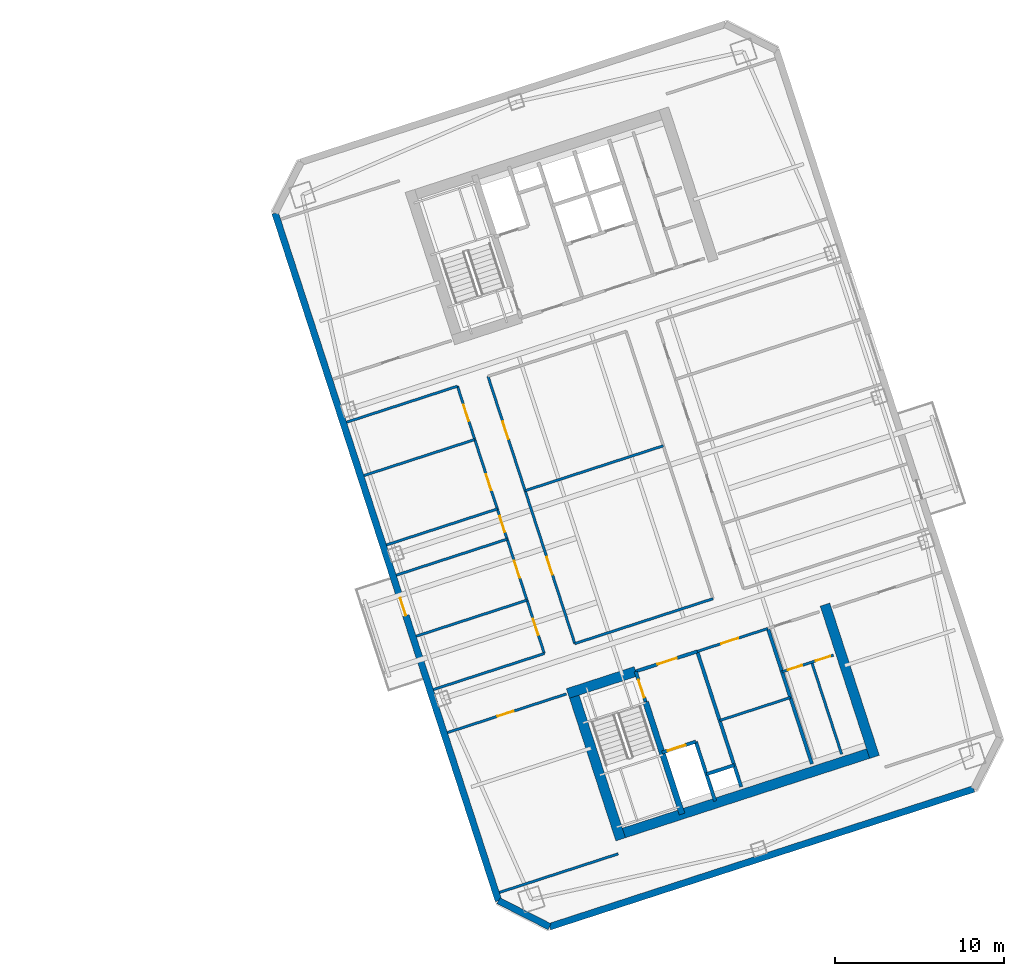
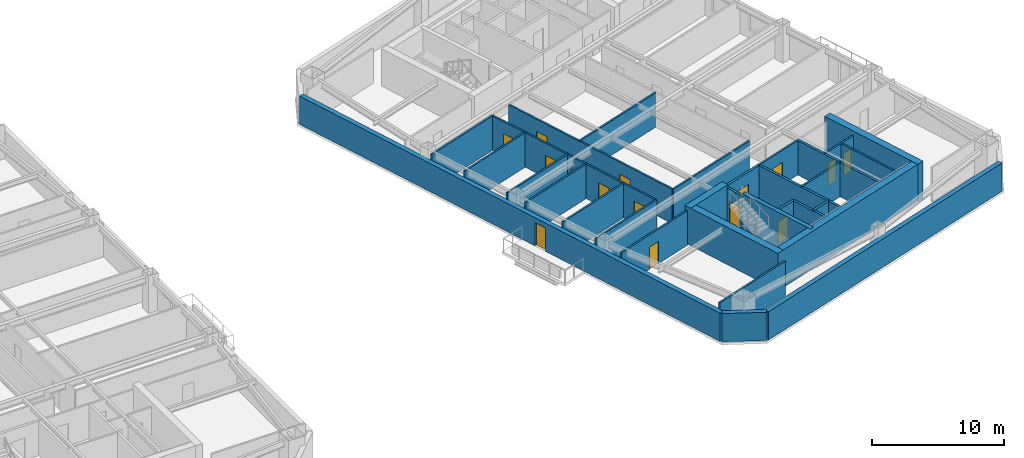
# One storey, part 8 of 15: 31 walls, 15 doors, 15 openings.
"""IFC4 building model written with IfcOpenShell, lengths in metres."""

from ifc_helpers import new_model, si_unit, direction, frame, frame_2d, origin, place, context, subcontext, project, spatial, rectangle, extrude, material, layer, layer_set, type_object, element, fill, save


model = new_model("IFC4")

# Units and contexts
model_context = context("Model", 3, precision=1e-05, world=origin(), true_north=direction((0.0, 1.0)))
body_context = subcontext(model_context, "Body", "Model", "MODEL_VIEW")
ifc_project = project(units=[si_unit("LENGTHUNIT", "METRE"), si_unit("AREAUNIT", "SQUARE_METRE"), si_unit("VOLUMEUNIT", "CUBIC_METRE"), si_unit("PLANEANGLEUNIT", "RADIAN"), si_unit("MASSUNIT", "GRAM", prefix="KILO")], contexts=[model_context])

# Site, building, storey
site_placement = place(None, origin())
site = spatial("IfcSite", under=ifc_project, at=site_placement, CompositionType="ELEMENT")
building_placement = place(site_placement, origin())
building = spatial("IfcBuilding", under=site, at=building_placement, Name="Qiaolan Cultural Towers", CompositionType="ELEMENT")
storey_placement = place(building_placement, frame((0.0, 0.0, 166.75)))
storey = spatial("IfcBuildingStorey", under=building, at=storey_placement, Name="L44", CompositionType="ELEMENT", Elevation=166.75)

# Walls
ifc_material_1 = material(Name="Concrete C50", Category="concrete")
ifc_layer_1 = layer(ifc_material_1, 0.35009765625)
ifc_layer_set_1 = layer_set([ifc_layer_1], Name="Concrete C50")
wall_type_1 = type_object("IfcWallType", Name="WL-CORE-350", PredefinedType="SHEAR", material=ifc_layer_set_1)
wall_1_placement = place(storey_placement, frame((90.486328125, 20.59423828125, 0.0), z_axis=(0.0, 0.0, 1.0), x_axis=(0.309020428229, -0.951055400562, 0.0)))
element("IfcWall", 1, at=wall_1_placement, inside=storey, type_object=wall_type_1, Name="L44 T2-CS Stair Core Dividing Web", PredefinedType="SHEAR", context=body_context, shape_type="SweptSolid", body=[
    extrude(rectangle(XDim=6.97998046875, YDim=0.35009765625, at=frame_2d((3.489990234375, 0.0))), origin(), (0.0, 0.0, 1.0), 3.449951171875),
])
ifc_material_2 = material(Name="Concrete C55", Category="concrete")
ifc_layer_2 = layer(ifc_material_2, 0.60009765625)
ifc_layer_set_2 = layer_set([ifc_layer_2], Name="Concrete C55")
wall_type_2 = type_object("IfcWallType", Name="WL-CORE-600", PredefinedType="SHEAR", material=ifc_layer_set_2)
wall_2_placement = place(storey_placement, frame((88.6298828125, 12.65185546875, 0.0), z_axis=(0.0, 0.0, 1.0), x_axis=(0.95105714907, 0.309015046886, 0.0)))
element("IfcWall", 2, at=wall_2_placement, inside=storey, type_object=wall_type_2, Name="L44 T2-CS Outer Core Shear Wall", PredefinedType="SHEAR", context=body_context, shape_type="SweptSolid", body=[
    extrude(rectangle(XDim=16.400146484375, YDim=0.60009765625, at=frame_2d((8.2001953125, 0.0))), origin(), (0.0, 0.0, 1.0), 3.449951171875),
])
wall_3_placement = place(storey_placement, frame((86.078369140625, 21.47509765625, 0.0), z_axis=(0.0, 0.0, 1.0), x_axis=(0.309017938678, -0.951056209472, 0.0)))
element("IfcWall", 3, at=wall_3_placement, inside=storey, type_object=wall_type_2, Name="L44 T2-CS West Core Shear Wall", PredefinedType="SHEAR", context=body_context, shape_type="SweptSolid", body=[
    extrude(rectangle(XDim=9.479736328125, YDim=0.60009765625, at=frame_2d((4.73974609375, 0.0))), origin(), (0.0, 0.0, 1.0), 3.449951171875),
])
wall_4_placement = place(storey_placement, frame((101.105224609375, 26.357666015625, 0.0), z_axis=(0.0, 0.0, 1.0), x_axis=(0.309010370028, -0.95105866865, 0.0)))
element("IfcWall", 4, at=wall_4_placement, inside=storey, type_object=wall_type_2, Name="L44 T2-CS East Core Shear Wall", PredefinedType="SHEAR", context=body_context, shape_type="SweptSolid", body=[
    extrude(rectangle(XDim=9.47998046875, YDim=0.60009765625, at=frame_2d((4.739990234375, 0.0))), origin(), (0.0, 0.0, 1.0), 3.449951171875),
])
wall_5_placement = place(storey_placement, frame((85.8857421875, 21.09716796875, 0.0), z_axis=(0.0, 0.0, 1.0), x_axis=(0.951068073652, 0.308981422225, 0.0)))
element("IfcWall", 5, at=wall_5_placement, inside=storey, type_object=wall_type_2, Name="L44 T2-CS Stair Front Shear Wall", PredefinedType="SHEAR", context=body_context, shape_type="SweptSolid", body=[
    extrude(rectangle(XDim=4.22021484375, YDim=0.60009765625, at=frame_2d((2.110107421875, 0.0))), origin(), (0.0, 0.0, 1.0), 3.449951171875),
])

# Wall, opening, door
ifc_material_3 = material(Name="Precast Concrete C50 Honed Stone Pier", Category="masonry")
ifc_layer_3 = layer(ifc_material_3, 0.39990234375)
ifc_layer_set_3 = layer_set([ifc_layer_3], Name="Precast Concrete C50 Honed Stone Pier")
wall_type_3 = type_object("IfcWallType", Name="WL-EXT-PIER-400", PredefinedType="SOLIDWALL", material=ifc_layer_set_3)
wall_6_placement = place(storey_placement, frame((81.7763671875, 8.82666015625, 0.0), z_axis=(0.0, 0.0, 1.0), x_axis=(-0.309014228706, 0.951057414911, 0.0)))
wall_6 = element("IfcWall", 6, at=wall_6_placement, inside=storey, type_object=wall_type_3, Name="L44 East Tower Precast Pier Facade Wall F1", PredefinedType="SOLIDWALL", context=body_context, shape_type="SweptSolid", body=[
    extrude(rectangle(XDim=42.800048828125, YDim=0.39990234375, at=frame_2d((21.39990234375, 0.0))), origin(), (0.0, 0.0, 1.0), 2.610107421875),
])
opening_1_placement = place(wall_6_placement, frame((17.75, 0.0, 0.0)))
opening_1 = element("IfcOpeningElement", 7, at=opening_1_placement, cuts=wall_6, Name="Opening BD-01", PredefinedType="OPENING", context=body_context, shape_type="SweptSolid", body=[
    extrude(rectangle(XDim=1.10009765625, YDim=2.14990234375, at=frame_2d((0.550048828125, 1.074951171875))), frame((0.0, 0.2099609375, 0.0), z_axis=(0.0, -1.0, 0.0), x_axis=(1.0, 0.0, 0.0)), (0.0, 0.0, 1.0), 0.419921875),
])
ifc_material_4 = material(Name="Thermally Broken Aluminium Glazed Terrace Door", Category="aluminium")
door_type_1 = type_object("IfcDoorType", Name="DR-BAL-1100", OperationType="NOTDEFINED", PredefinedType="DOOR", material=ifc_material_4)
door_1_placement = place(opening_1_placement, origin())
door_1 = element("IfcDoor", 8, at=door_1_placement, inside=storey, type_object=door_type_1, Name="L44 T2 West Tree Balcony Door", OperationType="SINGLE_SWING_LEFT", OverallHeight=2.14990234375, OverallWidth=1.10009765625, PredefinedType="DOOR", context=body_context, shape_type="SweptSolid", body=[
    extrude(rectangle(XDim=1.10009765625, YDim=2.14990234375, at=frame_2d((0.550048828125, 1.074951171875))), frame((0.0, 0.02490234375, 0.0), z_axis=(0.0, -1.0, 0.0), x_axis=(1.0, 0.0, 0.0)), (0.0, 0.0, 1.0), 0.050048828125),
])
fill(opening_1, door_1)

# Walls
wall_7_placement = place(storey_placement, frame((109.908447265625, 15.44384765625, 0.0), z_axis=(0.0, 0.0, 1.0), x_axis=(-0.951057580055, -0.30901372044, 0.0)))
element("IfcWall", 9, at=wall_7_placement, inside=storey, type_object=wall_type_3, Name="L44 East Tower Precast Pier Facade Wall F7", PredefinedType="SOLIDWALL", context=body_context, shape_type="SweptSolid", body=[
    extrude(rectangle(XDim=26.39990234375, YDim=0.39990234375, at=frame_2d((13.199951171875, 0.0))), origin(), (0.0, 0.0, 1.0), 2.610107421875),
])
wall_8_placement = place(storey_placement, frame((84.800537109375, 7.285888671875, 0.0), z_axis=(0.0, 0.0, 1.0), x_axis=(-0.891020832027, 0.453962417932, 0.0)))
element("IfcWall", 10, at=wall_8_placement, inside=storey, type_object=wall_type_3, Name="L44 East Tower Precast Pier Facade Wall F8", PredefinedType="SOLIDWALL", context=body_context, shape_type="SweptSolid", body=[
    extrude(rectangle(XDim=3.39404296875, YDim=0.39990234375, at=frame_2d((1.697021484375, 0.0))), origin(), (0.0, 0.0, 1.0), 2.610107421875),
])

# Wall, opening, door
ifc_material_5 = material(Name="Concrete C35 Fire Wall", Category="concrete")
ifc_layer_4 = layer(ifc_material_5, 0.199951171875)
ifc_layer_set_4 = layer_set([ifc_layer_4], Name="Concrete C35 Fire Wall")
wall_type_4 = type_object("IfcWallType", Name="WL-FIRE-200", PredefinedType="PARTITIONING", material=ifc_layer_set_4)
wall_9_placement = place(storey_placement, frame((89.8994140625, 22.401123046875, 0.0), z_axis=(0.0, 0.0, 1.0), x_axis=(0.308932062672, -0.951084108086, 0.0)))
wall_9 = element("IfcWall", 11, at=wall_9_placement, inside=storey, type_object=wall_type_4, Name="L44 T2-CS Smokeproof Stair Entry Wall", PredefinedType="PARTITIONING", context=body_context, shape_type="SweptSolid", body=[
    extrude(rectangle(XDim=1.89990234375, YDim=0.199951171875, at=frame_2d((0.949951171875, 0.0))), origin(), (0.0, 0.0, 1.0), 3.175048828125),
])
opening_2_placement = place(wall_9_placement, frame((0.52001953125, 0.0, 0.0)))
opening_2 = element("IfcOpeningElement", 12, at=opening_2_placement, cuts=wall_9, Name="Opening FD-04", PredefinedType="OPENING", context=body_context, shape_type="SweptSolid", body=[
    extrude(rectangle(XDim=1.10009765625, YDim=2.050048828125, at=frame_2d((0.550048828125, 1.02490234375))), frame((0.0, 0.10986328125, 0.0), z_axis=(0.0, -1.0, 0.0), x_axis=(1.0, 0.0, 0.0)), (0.0, 0.0, 1.0), 0.219970703125),
])
ifc_material_6 = material(Name="Galvanized Steel Command Fire Door", Category="steel")
door_type_2 = type_object("IfcDoorType", Name="DR-FD90-1100", OperationType="NOTDEFINED", PredefinedType="DOOR", material=ifc_material_6)
door_2_placement = place(opening_2_placement, origin())
door_2 = element("IfcDoor", 13, at=door_2_placement, inside=storey, type_object=door_type_2, Name="L44 ST-E1 Smokeproof Stair Fire Door", OperationType="SINGLE_SWING_LEFT", OverallHeight=2.050048828125, OverallWidth=1.10009765625, PredefinedType="DOOR", context=body_context, shape_type="SweptSolid", body=[
    extrude(rectangle(XDim=1.10009765625, YDim=2.050048828125, at=frame_2d((0.550048828125, 1.02490234375))), frame((0.0, 0.02490234375, 0.0), z_axis=(0.0, -1.0, 0.0), x_axis=(1.0, 0.0, 0.0)), (0.0, 0.0, 1.0), 0.050048828125),
])
fill(opening_2, door_2)

# Wall
wall_10_placement = place(storey_placement, frame((93.541748046875, 23.584716796875, 0.0), z_axis=(0.0, 0.0, 1.0), x_axis=(0.309042196757, -0.951048327176, 0.0)))
element("IfcWall", 14, at=wall_10_placement, inside=storey, type_object=wall_type_4, Name="L44 T2-CS Firefighting Zone Wall", PredefinedType="PARTITIONING", context=body_context, shape_type="SweptSolid", body=[
    extrude(rectangle(XDim=8.429931640625, YDim=0.199951171875, at=frame_2d((4.21484375, 0.0))), origin(), (0.0, 0.0, 1.0), 3.175048828125),
])

# Wall, opening, door
wall_11_placement = place(storey_placement, frame((89.8994140625, 22.401123046875, 0.0), z_axis=(0.0, 0.0, 1.0), x_axis=(0.951046716504, 0.309047153403, 0.0)))
wall_11 = element("IfcWall", 15, at=wall_11_placement, inside=storey, type_object=wall_type_4, Name="L44 T2-CS Firefighting Lobby Front Wall", PredefinedType="PARTITIONING", context=body_context, shape_type="SweptSolid", body=[
    extrude(rectangle(XDim=3.829833984375, YDim=0.199951171875, at=frame_2d((1.9150390625, 0.0))), origin(), (0.0, 0.0, 1.0), 3.175048828125),
])
opening_3_placement = place(wall_11_placement, frame((1.35009765625, 0.0, 0.0)))
opening_3 = element("IfcOpeningElement", 16, at=opening_3_placement, cuts=wall_11, Name="Opening FD-03", PredefinedType="OPENING", context=body_context, shape_type="SweptSolid", body=[
    extrude(rectangle(XDim=1.199951171875, YDim=2.050048828125, at=frame_2d((0.60009765625, 1.02490234375))), frame((0.0, 0.10986328125, 0.0), z_axis=(0.0, -1.0, 0.0), x_axis=(1.0, 0.0, 0.0)), (0.0, 0.0, 1.0), 0.219970703125),
])
ifc_material_7 = material(Name="Galvanized Steel Smokeproof Lobby Fire Door", Category="steel")
door_type_3 = type_object("IfcDoorType", Name="DR-FD90-1200", OperationType="NOTDEFINED", PredefinedType="DOOR", material=ifc_material_7)
door_3_placement = place(opening_3_placement, origin())
door_3 = element("IfcDoor", 17, at=door_3_placement, inside=storey, type_object=door_type_3, Name="L44 FFL-E1 Firefighting Lobby Fire Door", OperationType="SINGLE_SWING_LEFT", OverallHeight=2.050048828125, OverallWidth=1.199951171875, PredefinedType="DOOR", context=body_context, shape_type="SweptSolid", body=[
    extrude(rectangle(XDim=1.199951171875, YDim=2.050048828125, at=frame_2d((0.60009765625, 1.02490234375))), frame((0.0, 0.02490234375, 0.0), z_axis=(0.0, -1.0, 0.0), x_axis=(1.0, 0.0, 0.0)), (0.0, 0.0, 1.0), 0.050048828125),
])
fill(opening_3, door_3)

wall_12_placement = place(storey_placement, frame((91.459716796875, 17.598388671875, 0.0), z_axis=(0.0, 0.0, 1.0), x_axis=(0.951062257173, 0.308999325213, 0.0)))
wall_12 = element("IfcWall", 18, at=wall_12_placement, inside=storey, type_object=wall_type_4, Name="L44 T2-CS Firefighting Shaft Front Wall", PredefinedType="PARTITIONING", context=body_context, shape_type="SweptSolid", body=[
    extrude(rectangle(XDim=2.10009765625, YDim=0.199951171875, at=frame_2d((1.050048828125, 0.0))), origin(), (0.0, 0.0, 1.0), 3.175048828125),
])
opening_4_placement = place(wall_12_placement, frame((0.35009765625, 0.0, 0.0)))
opening_4 = element("IfcOpeningElement", 19, at=opening_4_placement, cuts=wall_12, Name="Opening LD-01", PredefinedType="OPENING", context=body_context, shape_type="SweptSolid", body=[
    extrude(rectangle(XDim=1.10009765625, YDim=2.050048828125, at=frame_2d((0.550048828125, 1.02490234375))), frame((0.0, 0.10986328125, 0.0), z_axis=(0.0, -1.0, 0.0), x_axis=(1.0, 0.0, 0.0)), (0.0, 0.0, 1.0), 0.219970703125),
])
ifc_material_8 = material(Name="Brushed Stainless Steel S30408 Centre-Parting Lift Landing Door", Category="steel")
door_type_4 = type_object("IfcDoorType", Name="DR-LIFT-1100", OperationType="NOTDEFINED", PredefinedType="DOOR", material=ifc_material_8)
door_4_placement = place(opening_4_placement, origin())
door_4 = element("IfcDoor", 20, at=door_4_placement, inside=storey, type_object=door_type_4, Name="L44 FFL-E1 Firefighting Lift Landing Door", OperationType="DOUBLE_DOOR_SLIDING", OverallHeight=2.050048828125, OverallWidth=1.10009765625, PredefinedType="DOOR", context=body_context, shape_type="SweptSolid", body=[
    extrude(rectangle(XDim=1.10009765625, YDim=2.050048828125, at=frame_2d((0.550048828125, 1.02490234375))), frame((0.0, 0.02490234375, 0.0), z_axis=(0.0, -1.0, 0.0), x_axis=(1.0, 0.0, 0.0)), (0.0, 0.0, 1.0), 0.050048828125),
])
fill(opening_4, door_4)

# Walls
wall_13_placement = place(storey_placement, frame((93.45703125, 18.247314453125, 0.0), z_axis=(0.0, 0.0, 1.0), x_axis=(0.3089935693, -0.951064127245, 0.0)))
element("IfcWall", 21, at=wall_13_placement, inside=storey, type_object=wall_type_4, Name="L44 T2-CS Firefighting Hoistway East Wall", PredefinedType="PARTITIONING", context=body_context, shape_type="SweptSolid", body=[
    extrude(rectangle(XDim=3.7001953125, YDim=0.199951171875, at=frame_2d((1.85009765625, 0.0))), origin(), (0.0, 0.0, 1.0), 3.175048828125),
])
wall_14_placement = place(storey_placement, frame((94.08447265625, 16.316650390625, 0.0), z_axis=(0.0, 0.0, 1.0), x_axis=(0.951041328149, 0.309063734775, 0.0)))
element("IfcWall", 22, at=wall_14_placement, inside=storey, type_object=wall_type_4, Name="L44 T2-CS Pressurization Shaft Front Wall", PredefinedType="PARTITIONING", context=body_context, shape_type="SweptSolid", body=[
    extrude(rectangle(XDim=1.72998046875, YDim=0.199951171875, at=frame_2d((0.864990234375, 0.0))), origin(), (0.0, 0.0, 1.0), 3.175048828125),
])
wall_15_placement = place(storey_placement, frame((97.7265625, 24.9443359375, 0.0), z_axis=(0.0, 0.0, 1.0), x_axis=(0.309016001439, -0.951056838919, 0.0)))
element("IfcWall", 23, at=wall_15_placement, inside=storey, type_object=wall_type_4, Name="L44 T2-CS Lift Core East Wall", PredefinedType="PARTITIONING", context=body_context, shape_type="SweptSolid", body=[
    extrude(rectangle(XDim=8.429931640625, YDim=0.199951171875, at=frame_2d((4.21484375, 0.0))), origin(), (0.0, 0.0, 1.0), 3.175048828125),
])

# Wall, opening, door
ifc_material_9 = material(Name="Autoclaved Aerated Concrete Block B06", Category="concrete")
ifc_layer_5 = layer(ifc_material_9, 0.14990234375)
ifc_layer_set_5 = layer_set([ifc_layer_5], Name="Autoclaved Aerated Concrete Block B06")
wall_type_5 = type_object("IfcWallType", Name="WL-PART-150", PredefinedType="PARTITIONING", material=ifc_layer_set_5)
wall_16_placement = place(storey_placement, frame((93.541748046875, 23.584716796875, 0.0), z_axis=(0.0, 0.0, 1.0), x_axis=(0.951063829732, 0.308994485023, 0.0)))
wall_16 = element("IfcWall", 24, at=wall_16_placement, inside=storey, type_object=wall_type_5, Name="L44 T2-CS Reclaimed Core Room Front Wall", PredefinedType="PARTITIONING", context=body_context, shape_type="SweptSolid", body=[
    extrude(rectangle(XDim=4.400146484375, YDim=0.14990234375, at=frame_2d((2.2001953125, 0.0))), origin(), (0.0, 0.0, 1.0), 3.175048828125),
])
opening_5_placement = place(wall_16_placement, frame((1.5, 0.0, 0.0)))
opening_5 = element("IfcOpeningElement", 25, at=opening_5_placement, cuts=wall_16, Name="Opening ID-07", PredefinedType="OPENING", context=body_context, shape_type="SweptSolid", body=[
    extrude(rectangle(XDim=1.050048828125, YDim=2.050048828125, at=frame_2d((0.52490234375, 1.02490234375))), frame((0.0, 0.0849609375, 0.0), z_axis=(0.0, -1.0, 0.0), x_axis=(1.0, 0.0, 0.0)), (0.0, 0.0, 1.0), 0.169921875),
])
ifc_material_10 = material(Name="Oak Veneer Consultation Door", Category="timber")
door_type_5 = type_object("IfcDoorType", Name="DR-INT-1050", OperationType="NOTDEFINED", PredefinedType="DOOR", material=ifc_material_10)
door_5_placement = place(opening_5_placement, origin())
door_5 = element("IfcDoor", 26, at=door_5_placement, inside=storey, type_object=door_type_5, Name="L44 Focus Pod Room Door", OperationType="SINGLE_SWING_LEFT", OverallHeight=2.050048828125, OverallWidth=1.050048828125, PredefinedType="DOOR", context=body_context, shape_type="SweptSolid", body=[
    extrude(rectangle(XDim=1.050048828125, YDim=2.050048828125, at=frame_2d((0.52490234375, 1.02490234375))), frame((0.0, 0.02490234375, 0.0), z_axis=(0.0, -1.0, 0.0), x_axis=(1.0, 0.0, 0.0)), (0.0, 0.0, 1.0), 0.050048828125),
])
fill(opening_5, door_5)

# Wall
wall_17_placement = place(storey_placement, frame((94.87060546875, 19.4951171875, 0.0), z_axis=(0.0, 0.0, 1.0), x_axis=(0.951042223598, 0.309060979314, 0.0)))
element("IfcWall", 27, at=wall_17_placement, inside=storey, type_object=wall_type_5, Name="L44 T2-CS Reclaimed Room Subdivider", PredefinedType="PARTITIONING", context=body_context, shape_type="SweptSolid", body=[
    extrude(rectangle(XDim=4.39990234375, YDim=0.14990234375, at=frame_2d((2.199951171875, 0.0))), origin(), (0.0, 0.0, 1.0), 3.175048828125),
])

# Wall, openings, doors
wall_18_placement = place(storey_placement, frame((98.560791015625, 22.37646484375, 0.0), z_axis=(0.0, 0.0, 1.0), x_axis=(0.95104415986, 0.309055020985, 0.0)))
wall_18 = element("IfcWall", 28, at=wall_18_placement, inside=storey, type_object=wall_type_5, Name="L44 T2-CS Restroom Vestibule Wall", PredefinedType="PARTITIONING", context=body_context, shape_type="SweptSolid", body=[
    extrude(rectangle(XDim=3.2001953125, YDim=0.14990234375, at=frame_2d((1.60009765625, 0.0))), origin(), (0.0, 0.0, 1.0), 3.175048828125),
])
opening_6_placement = place(wall_18_placement, frame((0.35009765625, 0.0, 0.0)))
opening_6 = element("IfcOpeningElement", 29, at=opening_6_placement, cuts=wall_18, Name="Opening ID-06", PredefinedType="OPENING", context=body_context, shape_type="SweptSolid", body=[
    extrude(rectangle(XDim=0.89990234375, YDim=2.050048828125, at=frame_2d((0.449951171875, 1.02490234375))), frame((0.0, 0.0849609375, 0.0), z_axis=(0.0, -1.0, 0.0), x_axis=(1.0, 0.0, 0.0)), (0.0, 0.0, 1.0), 0.169921875),
])
opening_7_placement = place(wall_18_placement, frame((2.10009765625, 0.0, 0.0)))
opening_7 = element("IfcOpeningElement", 30, at=opening_7_placement, cuts=wall_18, Name="Opening ID-06", PredefinedType="OPENING", context=body_context, shape_type="SweptSolid", body=[
    extrude(rectangle(XDim=0.89990234375, YDim=2.050048828125, at=frame_2d((0.449951171875, 1.02490234375))), frame((0.0, 0.0849609375, 0.0), z_axis=(0.0, -1.0, 0.0), x_axis=(1.0, 0.0, 0.0)), (0.0, 0.0, 1.0), 0.169921875),
])
ifc_material_11 = material(Name="Fire-Rated Laminate Core Service Door", Category="timber")
door_type_6 = type_object("IfcDoorType", Name="DR-INT-900", OperationType="NOTDEFINED", PredefinedType="DOOR", material=ifc_material_11)
door_6_placement = place(opening_6_placement, origin())
door_6 = element("IfcDoor", 31, at=door_6_placement, inside=storey, type_object=door_type_6, Name="L44 Men Restroom Door", OperationType="SINGLE_SWING_LEFT", OverallHeight=2.050048828125, OverallWidth=0.89990234375, PredefinedType="DOOR", context=body_context, shape_type="SweptSolid", body=[
    extrude(rectangle(XDim=0.89990234375, YDim=2.050048828125, at=frame_2d((0.449951171875, 1.02490234375))), frame((0.0, 0.02490234375, 0.0), z_axis=(0.0, -1.0, 0.0), x_axis=(1.0, 0.0, 0.0)), (0.0, 0.0, 1.0), 0.050048828125),
])
fill(opening_6, door_6)
door_7_placement = place(opening_7_placement, origin())
door_7 = element("IfcDoor", 32, at=door_7_placement, inside=storey, type_object=door_type_6, Name="L44 Accessible & Women Restroom Door", OperationType="SINGLE_SWING_RIGHT", OverallHeight=2.050048828125, OverallWidth=0.89990234375, PredefinedType="DOOR", context=body_context, shape_type="SweptSolid", body=[
    extrude(rectangle(XDim=0.89990234375, YDim=2.050048828125, at=frame_2d((0.449951171875, 1.02490234375))), frame((0.0, 0.02490234375, 0.0), z_axis=(0.0, -1.0, 0.0), x_axis=(1.0, 0.0, 0.0)), (0.0, 0.0, 1.0), 0.050048828125),
])
fill(opening_7, door_7)

# Walls
wall_19_placement = place(storey_placement, frame((100.3203125, 22.9482421875, 0.0), z_axis=(0.0, 0.0, 1.0), x_axis=(0.309035009867, -0.951050662518, 0.0)))
element("IfcWall", 33, at=wall_19_placement, inside=storey, type_object=wall_type_5, Name="L44 T2-CS Restroom Divider Wall", PredefinedType="PARTITIONING", context=body_context, shape_type="SweptSolid", body=[
    extrude(rectangle(XDim=5.72998046875, YDim=0.14990234375, at=frame_2d((2.864990234375, 0.0))), origin(), (0.0, 0.0, 1.0), 3.175048828125),
])
wall_20_placement = place(storey_placement, frame((81.82763671875, 9.31640625, 0.0), z_axis=(0.0, 0.0, 1.0), x_axis=(0.95105128112, 0.309033106124, 0.0)))
element("IfcWall", 34, at=wall_20_placement, inside=storey, type_object=wall_type_5, Name="L44 T2 Flank Wall FLK-SW", PredefinedType="PARTITIONING", context=body_context, shape_type="SweptSolid", body=[
    extrude(rectangle(XDim=7.400146484375, YDim=0.14990234375, at=frame_2d((3.7001953125, 0.0))), origin(), (0.0, 0.0, 1.0), 3.175048828125),
])

# Wall, opening, door
wall_21_placement = place(storey_placement, frame((78.7529296875, 18.779541015625, 0.0), z_axis=(0.0, 0.0, 1.0), x_axis=(0.951060977215, 0.309003264738, 0.0)))
wall_21 = element("IfcWall", 35, at=wall_21_placement, inside=storey, type_object=wall_type_5, Name="L44 T2 Flank Front FLK-SW", PredefinedType="PARTITIONING", context=body_context, shape_type="SweptSolid", body=[
    extrude(rectangle(XDim=7.39990234375, YDim=0.14990234375, at=frame_2d((3.699951171875, 0.0))), origin(), (0.0, 0.0, 1.0), 3.175048828125),
])
opening_8_placement = place(wall_21_placement, frame((3.10791015625, 0.0, 0.0)))
opening_8 = element("IfcOpeningElement", 36, at=opening_8_placement, cuts=wall_21, Name="Opening ID-04", PredefinedType="OPENING", context=body_context, shape_type="SweptSolid", body=[
    extrude(rectangle(XDim=1.0, YDim=2.050048828125, at=frame_2d((0.5, 1.02490234375))), frame((0.0, 0.0849609375, 0.0), z_axis=(0.0, -1.0, 0.0), x_axis=(1.0, 0.0, 0.0)), (0.0, 0.0, 1.0), 0.169921875),
])
ifc_material_12 = material(Name="Oak Veneer Acoustic Office Door", Category="timber")
door_type_7 = type_object("IfcDoorType", Name="DR-INT-1000", OperationType="NOTDEFINED", PredefinedType="DOOR", material=ifc_material_12)
door_8_placement = place(opening_8_placement, origin())
door_8 = element("IfcDoor", 37, at=door_8_placement, inside=storey, type_object=door_type_7, Name="L44 T2 Corner Studio Door", OperationType="SINGLE_SWING_LEFT", OverallHeight=2.050048828125, OverallWidth=1.0, PredefinedType="DOOR", context=body_context, shape_type="SweptSolid", body=[
    extrude(rectangle(XDim=1.0, YDim=2.050048828125, at=frame_2d((0.5, 1.02490234375))), frame((0.0, 0.02490234375, 0.0), z_axis=(0.0, -1.0, 0.0), x_axis=(1.0, 0.0, 0.0)), (0.0, 0.0, 1.0), 0.050048828125),
])
fill(opening_8, door_8)

# Walls
wall_22_placement = place(storey_placement, frame((77.9248046875, 21.328369140625, 0.0), z_axis=(0.0, 0.0, 1.0), x_axis=(0.951061887302, 0.309000463626, 0.0)))
element("IfcWall", 38, at=wall_22_placement, inside=storey, type_object=wall_type_5, Name="L44 T2 Interior Wall", PredefinedType="PARTITIONING", context=body_context, shape_type="SweptSolid", body=[
    extrude(rectangle(XDim=6.89990234375, YDim=0.14990234375, at=frame_2d((3.449951171875, 0.0))), origin(), (0.0, 0.0, 1.0), 3.175048828125),
])
wall_23_placement = place(storey_placement, frame((86.2939453125, 24.047607421875, 0.0), z_axis=(0.0, 0.0, 1.0), x_axis=(0.951052008164, 0.309030868631, 0.0)))
element("IfcWall", 39, at=wall_23_placement, inside=storey, type_object=wall_type_5, Name="L44 T2 Interior Wall", PredefinedType="PARTITIONING", context=body_context, shape_type="SweptSolid", body=[
    extrude(rectangle(XDim=8.60009765625, YDim=0.14990234375, at=frame_2d((4.300048828125, 0.0))), origin(), (0.0, 0.0, 1.0), 3.175048828125),
])
wall_24_placement = place(storey_placement, frame((72.78271484375, 37.15380859375, 0.0), z_axis=(0.0, 0.0, 1.0), x_axis=(0.951051488548, 0.309032467762, 0.0)))
element("IfcWall", 40, at=wall_24_placement, inside=storey, type_object=wall_type_5, Name="L44 T2 Interior Wall", PredefinedType="PARTITIONING", context=body_context, shape_type="SweptSolid", body=[
    extrude(rectangle(XDim=6.89990234375, YDim=0.14990234375, at=frame_2d((3.449951171875, 0.0))), origin(), (0.0, 0.0, 1.0), 3.175048828125),
])

# Wall, openings, doors
wall_25_placement = place(storey_placement, frame((84.487060546875, 23.46044921875, 0.0), z_axis=(0.0, 0.0, 1.0), x_axis=(-0.30901773025, 0.951056277195, 0.0)))
wall_25 = element("IfcWall", 41, at=wall_25_placement, inside=storey, type_object=wall_type_5, Name="L44 T2 Interior Wall", PredefinedType="PARTITIONING", context=body_context, shape_type="SweptSolid", body=[
    extrude(rectangle(XDim=16.64013671875, YDim=0.14990234375, at=frame_2d((8.320068359375, 0.0))), origin(), (0.0, 0.0, 1.0), 3.175048828125),
])
opening_9_placement = place(wall_25_placement, frame((1.159912109375, 0.0, 0.0)))
opening_9 = element("IfcOpeningElement", 42, at=opening_9_placement, cuts=wall_25, Name="Opening ID-04", PredefinedType="OPENING", context=body_context, shape_type="SweptSolid", body=[
    extrude(rectangle(XDim=1.0, YDim=2.050048828125, at=frame_2d((0.5, 1.02490234375))), frame((0.0, 0.0849609375, 0.0), z_axis=(0.0, -1.0, 0.0), x_axis=(1.0, 0.0, 0.0)), (0.0, 0.0, 1.0), 0.169921875),
])
opening_10_placement = place(wall_25_placement, frame((4.719970703125, 0.0, 0.0)))
opening_10 = element("IfcOpeningElement", 43, at=opening_10_placement, cuts=wall_25, Name="Opening ID-07", PredefinedType="OPENING", context=body_context, shape_type="SweptSolid", body=[
    extrude(rectangle(XDim=1.050048828125, YDim=2.050048828125, at=frame_2d((0.52490234375, 1.02490234375))), frame((0.0, 0.0849609375, 0.0), z_axis=(0.0, -1.0, 0.0), x_axis=(1.0, 0.0, 0.0)), (0.0, 0.0, 1.0), 0.169921875),
])
opening_11_placement = place(wall_25_placement, frame((7.56005859375, 0.0, 0.0)))
opening_11 = element("IfcOpeningElement", 44, at=opening_11_placement, cuts=wall_25, Name="Opening ID-04", PredefinedType="OPENING", context=body_context, shape_type="SweptSolid", body=[
    extrude(rectangle(XDim=1.0, YDim=2.050048828125, at=frame_2d((0.5, 1.02490234375))), frame((0.0, 0.0849609375, 0.0), z_axis=(0.0, -1.0, 0.0), x_axis=(1.0, 0.0, 0.0)), (0.0, 0.0, 1.0), 0.169921875),
])
opening_12_placement = place(wall_25_placement, frame((10.159912109375, 0.0, 0.0)))
opening_12 = element("IfcOpeningElement", 45, at=opening_12_placement, cuts=wall_25, Name="Opening ID-04", PredefinedType="OPENING", context=body_context, shape_type="SweptSolid", body=[
    extrude(rectangle(XDim=1.0, YDim=2.050048828125, at=frame_2d((0.5, 1.02490234375))), frame((0.0, 0.0849609375, 0.0), z_axis=(0.0, -1.0, 0.0), x_axis=(1.0, 0.0, 0.0)), (0.0, 0.0, 1.0), 0.169921875),
])
opening_13_placement = place(wall_25_placement, frame((14.47998046875, 0.0, 0.0)))
opening_13 = element("IfcOpeningElement", 46, at=opening_13_placement, cuts=wall_25, Name="Opening ID-04", PredefinedType="OPENING", context=body_context, shape_type="SweptSolid", body=[
    extrude(rectangle(XDim=1.0, YDim=2.050048828125, at=frame_2d((0.5, 1.02490234375))), frame((0.0, 0.0849609375, 0.0), z_axis=(0.0, -1.0, 0.0), x_axis=(1.0, 0.0, 0.0)), (0.0, 0.0, 1.0), 0.169921875),
])
door_9_placement = place(opening_9_placement, origin())
door_9 = element("IfcDoor", 47, at=door_9_placement, inside=storey, type_object=door_type_7, Name="L44 T2 Executive Boardroom Door", OperationType="SINGLE_SWING_LEFT", OverallHeight=2.050048828125, OverallWidth=1.0, PredefinedType="DOOR", context=body_context, shape_type="SweptSolid", body=[
    extrude(rectangle(XDim=1.0, YDim=2.050048828125, at=frame_2d((0.5, 1.02490234375))), frame((0.0, 0.02490234375, 0.0), z_axis=(0.0, -1.0, 0.0), x_axis=(1.0, 0.0, 0.0)), (0.0, 0.0, 1.0), 0.050048828125),
])
fill(opening_9, door_9)
door_10_placement = place(opening_11_placement, origin())
door_10 = element("IfcDoor", 48, at=door_10_placement, inside=storey, type_object=door_type_7, Name="L44 T2 Executive Boardroom Door", OperationType="SINGLE_SWING_LEFT", OverallHeight=2.050048828125, OverallWidth=1.0, PredefinedType="DOOR", context=body_context, shape_type="SweptSolid", body=[
    extrude(rectangle(XDim=1.0, YDim=2.050048828125, at=frame_2d((0.5, 1.02490234375))), frame((0.0, 0.02490234375, 0.0), z_axis=(0.0, -1.0, 0.0), x_axis=(1.0, 0.0, 0.0)), (0.0, 0.0, 1.0), 0.050048828125),
])
fill(opening_11, door_10)
door_11_placement = place(opening_12_placement, origin())
door_11 = element("IfcDoor", 49, at=door_11_placement, inside=storey, type_object=door_type_7, Name="L44 T2 Executive Boardroom Door", OperationType="SINGLE_SWING_RIGHT", OverallHeight=2.050048828125, OverallWidth=1.0, PredefinedType="DOOR", context=body_context, shape_type="SweptSolid", body=[
    extrude(rectangle(XDim=1.0, YDim=2.050048828125, at=frame_2d((0.5, 1.02490234375))), frame((0.0, 0.02490234375, 0.0), z_axis=(0.0, -1.0, 0.0), x_axis=(1.0, 0.0, 0.0)), (0.0, 0.0, 1.0), 0.050048828125),
])
fill(opening_12, door_11)
door_12_placement = place(opening_13_placement, origin())
door_12 = element("IfcDoor", 50, at=door_12_placement, inside=storey, type_object=door_type_7, Name="L44 T2 VIP Lounge Door", OperationType="SINGLE_SWING_RIGHT", OverallHeight=2.050048828125, OverallWidth=1.0, PredefinedType="DOOR", context=body_context, shape_type="SweptSolid", body=[
    extrude(rectangle(XDim=1.0, YDim=2.050048828125, at=frame_2d((0.5, 1.02490234375))), frame((0.0, 0.02490234375, 0.0), z_axis=(0.0, -1.0, 0.0), x_axis=(1.0, 0.0, 0.0)), (0.0, 0.0, 1.0), 0.050048828125),
])
fill(opening_13, door_12)
door_13_placement = place(opening_10_placement, origin())
door_13 = element("IfcDoor", 51, at=door_13_placement, inside=storey, type_object=door_type_5, Name="L44 T2 Executive Boardroom Door", OperationType="SINGLE_SWING_RIGHT", OverallHeight=2.050048828125, OverallWidth=1.050048828125, PredefinedType="DOOR", context=body_context, shape_type="SweptSolid", body=[
    extrude(rectangle(XDim=1.050048828125, YDim=2.050048828125, at=frame_2d((0.52490234375, 1.02490234375))), frame((0.0, 0.02490234375, 0.0), z_axis=(0.0, -1.0, 0.0), x_axis=(1.0, 0.0, 0.0)), (0.0, 0.0, 1.0), 0.050048828125),
])
fill(opening_10, door_13)

wall_26_placement = place(storey_placement, frame((86.2939453125, 24.047607421875, 0.0), z_axis=(0.0, 0.0, 1.0), x_axis=(-0.309004459387, 0.951060589068, 0.0)))
wall_26 = element("IfcWall", 52, at=wall_26_placement, inside=storey, type_object=wall_type_5, Name="L44 T2 Interior Wall", PredefinedType="PARTITIONING", context=body_context, shape_type="SweptSolid", body=[
    extrude(rectangle(XDim=16.64013671875, YDim=0.14990234375, at=frame_2d((8.320068359375, 0.0))), origin(), (0.0, 0.0, 1.0), 3.175048828125),
])
opening_14_placement = place(wall_26_placement, frame((4.283935546875, 0.0, 0.0)))
opening_14 = element("IfcOpeningElement", 53, at=opening_14_placement, cuts=wall_26, Name="Opening ID-03", PredefinedType="OPENING", context=body_context, shape_type="SweptSolid", body=[
    extrude(rectangle(XDim=1.10009765625, YDim=2.050048828125, at=frame_2d((0.550048828125, 1.02490234375))), frame((0.0, 0.0849609375, 0.0), z_axis=(0.0, -1.0, 0.0), x_axis=(1.0, 0.0, 0.0)), (0.0, 0.0, 1.0), 0.169921875),
])
opening_15_placement = place(wall_26_placement, frame((12.72412109375, 0.0, 0.0)))
opening_15 = element("IfcOpeningElement", 54, at=opening_15_placement, cuts=wall_26, Name="Opening ID-03", PredefinedType="OPENING", context=body_context, shape_type="SweptSolid", body=[
    extrude(rectangle(XDim=1.10009765625, YDim=2.050048828125, at=frame_2d((0.550048828125, 1.02490234375))), frame((0.0, 0.0849609375, 0.0), z_axis=(0.0, -1.0, 0.0), x_axis=(1.0, 0.0, 0.0)), (0.0, 0.0, 1.0), 0.169921875),
])
ifc_material_13 = material(Name="Oak Veneer Solid-Core Boardroom Door", Category="timber")
door_type_8 = type_object("IfcDoorType", Name="DR-INT-1100", OperationType="NOTDEFINED", PredefinedType="DOOR", material=ifc_material_13)
door_14_placement = place(opening_14_placement, origin())
door_14 = element("IfcDoor", 55, at=door_14_placement, inside=storey, type_object=door_type_8, Name="L44 T2 Central Boardroom Door", OperationType="SINGLE_SWING_LEFT", OverallHeight=2.050048828125, OverallWidth=1.10009765625, PredefinedType="DOOR", context=body_context, shape_type="SweptSolid", body=[
    extrude(rectangle(XDim=1.10009765625, YDim=2.050048828125, at=frame_2d((0.550048828125, 1.02490234375))), frame((0.0, 0.02490234375, 0.0), z_axis=(0.0, -1.0, 0.0), x_axis=(1.0, 0.0, 0.0)), (0.0, 0.0, 1.0), 0.050048828125),
])
fill(opening_14, door_14)
door_15_placement = place(opening_15_placement, origin())
door_15 = element("IfcDoor", 56, at=door_15_placement, inside=storey, type_object=door_type_8, Name="L44 T2 Central Archive Salon Door", OperationType="SINGLE_SWING_RIGHT", OverallHeight=2.050048828125, OverallWidth=1.10009765625, PredefinedType="DOOR", context=body_context, shape_type="SweptSolid", body=[
    extrude(rectangle(XDim=1.10009765625, YDim=2.050048828125, at=frame_2d((0.550048828125, 1.02490234375))), frame((0.0, 0.02490234375, 0.0), z_axis=(0.0, -1.0, 0.0), x_axis=(1.0, 0.0, 0.0)), (0.0, 0.0, 1.0), 0.050048828125),
])
fill(opening_15, door_15)

# Walls
wall_27_placement = place(storey_placement, frame((83.352294921875, 33.101806640625, 0.0), z_axis=(0.0, 0.0, 1.0), x_axis=(0.951057640494, 0.309013534425, 0.0)))
element("IfcWall", 57, at=wall_27_placement, inside=storey, type_object=wall_type_5, Name="L44 T2 Interior Wall", PredefinedType="PARTITIONING", context=body_context, shape_type="SweptSolid", body=[
    extrude(rectangle(XDim=8.599853515625, YDim=0.14990234375, at=frame_2d((4.2998046875, 0.0))), origin(), (0.0, 0.0, 1.0), 3.175048828125),
])
for number, where, z_axis, x_axis, name in (
    (58, (76.89892578125, 24.48583984375, 0.0), (0.0, 0.0, 1.0), (0.951051488548, 0.309032467762, 0.0), "L44 T2 Interior Wall"),
    (59, (75.724609375, 28.099853515625, 0.0), (0.0, 0.0, 1.0), (0.951051488548, 0.309032467762, 0.0), "L44 T2 Interior Wall"),
    (60, (75.1435546875, 29.887939453125, 0.0), (0.0, 0.0, 1.0), (0.951061887302, 0.309000463626, 0.0), "L44 T2 Interior Wall"),
    (61, (73.80859375, 33.996337890625, 0.0), (0.0, 0.0, 1.0), (0.951051488548, 0.309032467762, 0.0), "L44 T2 Interior Wall"),
):
    element("IfcWall", number, at=place(storey_placement, frame(where, z_axis=z_axis, x_axis=x_axis)), inside=storey, type_object=wall_type_5, Name=name, PredefinedType="PARTITIONING", context=body_context, shape_type="SweptSolid", body=[
        extrude(rectangle(XDim=6.89990234375, YDim=0.14990234375, at=frame_2d((3.449951171875, 0.0))), origin(), (0.0, 0.0, 1.0), 3.175048828125),
    ])

save(model, "model.ifc")
